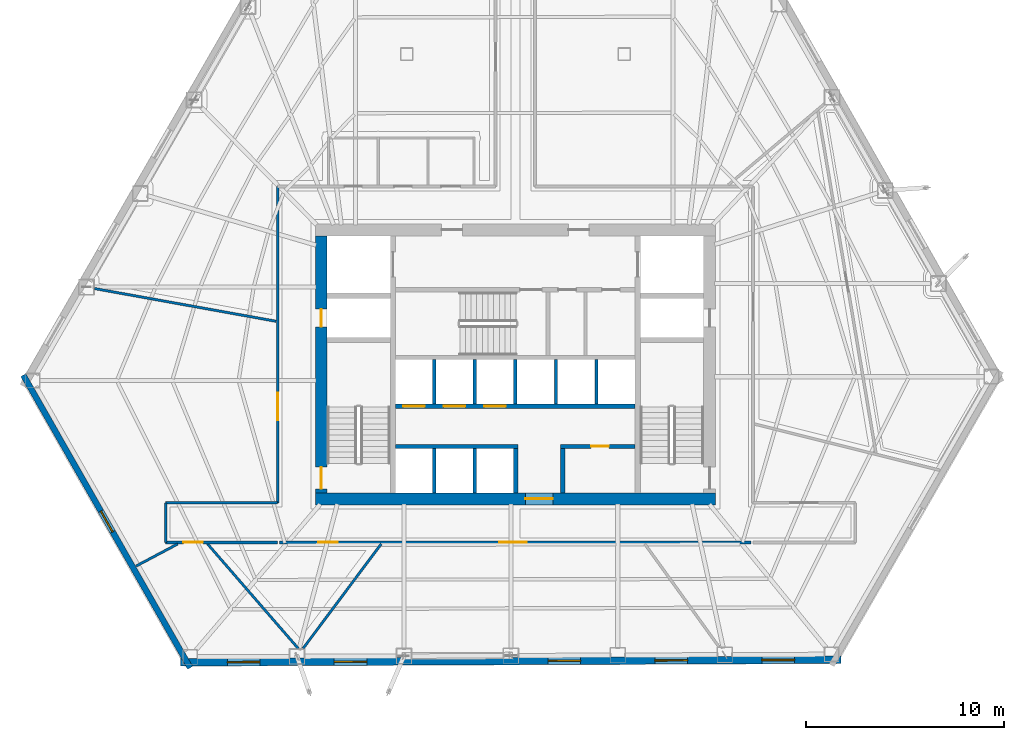
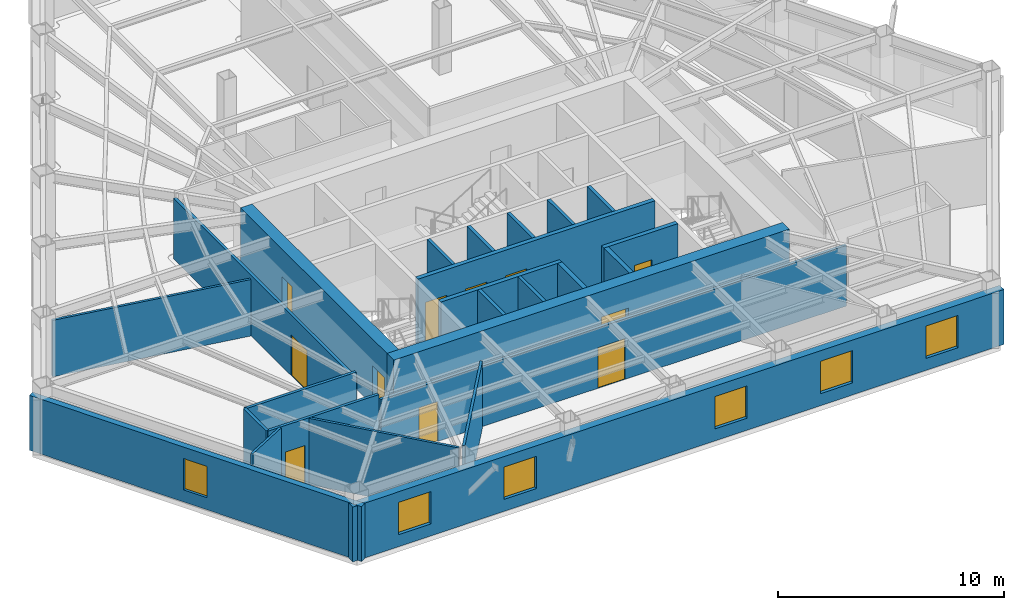
# One storey, part 7 of 12: 25 walls, 11 doors, 6 windows, 17 openings.
"""IFC4 building model written with IfcOpenShell, lengths in metres."""

from ifc_helpers import new_model, si_unit, direction, frame, frame_2d, origin, place, context, subcontext, project, spatial, rectangle, extrude, material, layer, layer_set, type_object, element, fill, save


model = new_model("IFC4")

# Units and contexts
model_context = context("Model", 3, precision=1e-05, world=origin(), true_north=direction((0.0, 1.0)))
body_context = subcontext(model_context, "Body", "Model", "MODEL_VIEW")
ifc_project = project(units=[si_unit("LENGTHUNIT", "METRE"), si_unit("AREAUNIT", "SQUARE_METRE"), si_unit("VOLUMEUNIT", "CUBIC_METRE"), si_unit("PLANEANGLEUNIT", "RADIAN"), si_unit("MASSUNIT", "GRAM", prefix="KILO")], contexts=[model_context])

# Site, building, storey
site_placement = place(None, origin())
site = spatial("IfcSite", under=ifc_project, at=site_placement, CompositionType="ELEMENT")
building_placement = place(site_placement, origin())
building = spatial("IfcBuilding", under=site, at=building_placement, Name="Kavelnor Concourse Tower", CompositionType="ELEMENT")
storey_placement = place(building_placement, frame((0.0, 0.0, 13.699951171875)))
storey = spatial("IfcBuildingStorey", under=building, at=storey_placement, Name="L03", CompositionType="ELEMENT", Elevation=13.699951171875)

# Wall, opening, door
ifc_material_1 = material(Name="Concrete C60/75", Category="concrete")
ifc_layer_1 = layer(ifc_material_1, 0.60009765625, Name="Concrete C60/75")
ifc_layer_set_1 = layer_set([ifc_layer_1], Name="Concrete C60/75")
wall_type_1 = type_object("IfcWallType", Name="WL-CORE-Z1-600", PredefinedType="SOLIDWALL", material=ifc_layer_set_1)
wall_1_placement = place(storey_placement, frame((27.8798828125, 9.300048828125, 0.0), z_axis=(0.0, 0.0, 1.0), x_axis=(1.0, 0.0, 0.0)))
wall_1 = element("IfcWall", 1, at=wall_1_placement, inside=storey, type_object=wall_type_1, Name="L03 Central Core South Shear Wall", PredefinedType="SOLIDWALL", context=body_context, shape_type="SweptSolid", body=[
    extrude(rectangle(XDim=20.240234375, YDim=0.60009765625, at=frame_2d((10.1201171875, 0.0))), origin(), (0.0, 0.0, 1.0), 3.590087890625),
])
opening_1_placement = place(wall_1_placement, frame((10.6201171875, 0.0, 0.0)))
opening_1 = element("IfcOpeningElement", 2, at=opening_1_placement, cuts=wall_1, Name="Opening SD-140", PredefinedType="OPENING", context=body_context, shape_type="SweptSolid", body=[
    extrude(rectangle(XDim=1.39990234375, YDim=2.199951171875, at=frame_2d((0.699951171875, 1.10009765625))), frame((0.0, 0.31005859375, 0.0), z_axis=(0.0, -1.0, 0.0), x_axis=(1.0, 0.0, 0.0)), (0.0, 0.0, 1.0), 0.6201171875),
])
ifc_material_2 = material(Name="Solid-core hardwood timber", Category="wood")
door_type_1 = type_object("IfcDoorType", Name="DR-SUITE-ENTRY-1400", OperationType="NOTDEFINED", PredefinedType="DOOR", material=ifc_material_2)
door_1_placement = place(opening_1_placement, origin())
door_1 = element("IfcDoor", 3, at=door_1_placement, inside=storey, type_object=door_type_1, Name="L03 Passenger Lift Lobby Entry Door", OperationType="SINGLE_SWING_RIGHT", OverallHeight=2.199951171875, OverallWidth=1.39990234375, PredefinedType="DOOR", context=body_context, shape_type="SweptSolid", body=[
    extrude(rectangle(XDim=1.39990234375, YDim=2.199951171875, at=frame_2d((0.699951171875, 1.10009765625))), frame((0.0, 0.02490234375, 0.0), z_axis=(0.0, -1.0, 0.0), x_axis=(1.0, 0.0, 0.0)), (0.0, 0.0, 1.0), 0.050048828125),
])
fill(opening_1, door_1)

# Wall, openings, doors
wall_2_placement = place(storey_placement, frame((28.179931640625, 9.60009765625, 0.0), z_axis=(0.0, 0.0, 1.0), x_axis=(0.0, 1.0, 0.0)))
wall_2 = element("IfcWall", 4, at=wall_2_placement, inside=storey, type_object=wall_type_1, Name="L03 Central Core West Shear Wall", PredefinedType="SOLIDWALL", context=body_context, shape_type="SweptSolid", body=[
    extrude(rectangle(XDim=13.0, YDim=0.60009765625, at=frame_2d((6.5, 0.0))), origin(), (0.0, 0.0, 1.0), 3.590087890625),
])
opening_2_placement = place(wall_2_placement, frame((0.199951171875, 0.0, 0.0)))
opening_2 = element("IfcOpeningElement", 5, at=opening_2_placement, cuts=wall_2, Name="Opening FD-110", PredefinedType="OPENING", context=body_context, shape_type="SweptSolid", body=[
    extrude(rectangle(XDim=1.10009765625, YDim=2.14990234375, at=frame_2d((0.550048828125, 1.074951171875))), frame((0.0, 0.31005859375, 0.0), z_axis=(0.0, -1.0, 0.0), x_axis=(1.0, 0.0, 0.0)), (0.0, 0.0, 1.0), 0.6201171875),
])
opening_3_placement = place(wall_2_placement, frame((8.39990234375, 0.0, 0.0)))
opening_3 = element("IfcOpeningElement", 6, at=opening_3_placement, cuts=wall_2, Name="Opening FD-090", PredefinedType="OPENING", context=body_context, shape_type="SweptSolid", body=[
    extrude(rectangle(XDim=0.89990234375, YDim=2.10009765625, at=frame_2d((0.449951171875, 1.050048828125))), frame((0.0, 0.31005859375, 0.0), z_axis=(0.0, -1.0, 0.0), x_axis=(1.0, 0.0, 0.0)), (0.0, 0.0, 1.0), 0.6201171875),
])
ifc_material_3 = material(Name="Steel Grade 350", Category="steel")
door_type_2 = type_object("IfcDoorType", Name="DR-RISER-FIRE-900", OperationType="NOTDEFINED", PredefinedType="DOOR", material=ifc_material_3)
door_2_placement = place(opening_3_placement, origin())
door_2 = element("IfcDoor", 7, at=door_2_placement, inside=storey, type_object=door_type_2, Name="L03 West Riser Access Door", OperationType="SINGLE_SWING_RIGHT", OverallHeight=2.10009765625, OverallWidth=0.89990234375, PredefinedType="DOOR", context=body_context, shape_type="SweptSolid", body=[
    extrude(rectangle(XDim=0.89990234375, YDim=2.10009765625, at=frame_2d((0.449951171875, 1.050048828125))), frame((0.0, 0.02490234375, 0.0), z_axis=(0.0, -1.0, 0.0), x_axis=(1.0, 0.0, 0.0)), (0.0, 0.0, 1.0), 0.050048828125),
])
fill(opening_3, door_2)
door_type_3 = type_object("IfcDoorType", Name="DR-STAIR-FIRE-1100", OperationType="NOTDEFINED", PredefinedType="DOOR", material=ifc_material_3)
door_3_placement = place(opening_2_placement, origin())
door_3 = element("IfcDoor", 8, at=door_3_placement, inside=storey, type_object=door_type_3, Name="L03 Stair ST1 Fire Door", OperationType="SINGLE_SWING_LEFT", OverallHeight=2.14990234375, OverallWidth=1.10009765625, PredefinedType="DOOR", context=body_context, shape_type="SweptSolid", body=[
    extrude(rectangle(XDim=1.10009765625, YDim=2.14990234375, at=frame_2d((0.550048828125, 1.074951171875))), frame((0.0, 0.02490234375, 0.0), z_axis=(0.0, -1.0, 0.0), x_axis=(1.0, 0.0, 0.0)), (0.0, 0.0, 1.0), 0.050048828125),
])
fill(opening_2, door_3)

# Wall, opening, window
ifc_material_4 = material(Name="Buff ironspot clay face brick masonry", Category="masonry")
ifc_layer_2 = layer(ifc_material_4, 0.300048828125, Name="Buff ironspot clay face brick masonry")
ifc_layer_set_2 = layer_set([ifc_layer_2], Name="Buff ironspot clay face brick masonry")
wall_type_2 = type_object("IfcWallType", Name="WL-EXT-BUFF-BRICK-FOLD-300", PredefinedType="STANDARD", material=ifc_layer_set_2)
wall_3_placement = place(storey_placement, frame((21.55078125, 0.75244140625, 0.0), z_axis=(0.0, 0.0, 1.0), x_axis=(-0.495301001615, 0.868721427041, 0.0)))
wall_3 = element("IfcWall", 9, at=wall_3_placement, inside=storey, type_object=wall_type_2, Name="L03 Exterior Brick Facade Wall E2", PredefinedType="STANDARD", context=body_context, shape_type="SweptSolid", body=[
    extrude(rectangle(XDim=17.04248046875, YDim=0.300048828125, at=frame_2d((8.521240234375, 0.0))), origin(), (0.0, 0.0, 1.0), 2.969970703125),
])
opening_4_placement = place(wall_3_placement, frame((7.921142578125, 0.0, 0.64990234375)))
opening_4 = element("IfcOpeningElement", 10, at=opening_4_placement, cuts=wall_3, Name="Opening W-05", PredefinedType="OPENING", context=body_context, shape_type="SweptSolid", body=[
    extrude(rectangle(XDim=1.199951171875, YDim=1.699951171875, at=frame_2d((0.60009765625, 0.85009765625))), frame((0.0, 0.16015625, 0.0), z_axis=(0.0, -1.0, 0.0), x_axis=(1.0, 0.0, 0.0)), (0.0, 0.0, 1.0), 0.320068359375),
])
ifc_material_5 = material(Name="Double low-E argon insulated glazing", Category="glass")
window_type_1 = type_object("IfcWindowType", Name="WIN-FOLD-1200", PartitioningType="SINGLE_PANEL", PredefinedType="WINDOW", material=ifc_material_5)
window_1_placement = place(opening_4_placement, origin())
window_1 = element("IfcWindow", 11, at=window_1_placement, inside=storey, type_object=window_type_1, Name="L03 Chamfer-Fold Facet Window C1", OverallHeight=1.699951171875, OverallWidth=1.199951171875, PartitioningType="SINGLE_PANEL", PredefinedType="WINDOW", context=body_context, shape_type="SweptSolid", body=[
    extrude(rectangle(XDim=1.199951171875, YDim=1.699951171875, at=frame_2d((0.60009765625, 0.85009765625))), frame((0.0, 0.030029296875, 0.0), z_axis=(0.0, -1.0, 0.0), x_axis=(1.0, 0.0, 0.0)), (0.0, 0.0, 1.0), 0.06005859375),
])
fill(opening_4, window_1)

# Wall, openings, windows
ifc_material_6 = material(Name="Red-ochre clay face brick masonry", Category="masonry")
ifc_layer_3 = layer(ifc_material_6, 0.3798828125, Name="Red-ochre clay face brick masonry")
ifc_layer_set_3 = layer_set([ifc_layer_3], Name="Red-ochre clay face brick masonry")
wall_type_3 = type_object("IfcWallType", Name="WL-EXT-RED-BRICK-PIER-380", PredefinedType="STANDARD", material=ifc_layer_set_3)
wall_4_placement = place(storey_placement, frame((54.474853515625, 1.163818359375, 0.0), z_axis=(0.0, 0.0, 1.0), x_axis=(-0.999992126113, -0.003968338725, 0.0)))
wall_4 = element("IfcWall", 12, at=wall_4_placement, inside=storey, type_object=wall_type_3, Name="L03 Exterior Brick Facade Wall E3", PredefinedType="STANDARD", context=body_context, shape_type="SweptSolid", body=[
    extrude(rectangle(XDim=33.406494140625, YDim=0.3798828125, at=frame_2d((16.703125, 0.0))), origin(), (0.0, 0.0, 1.0), 2.969970703125),
])
opening_5_placement = place(wall_4_placement, frame((29.397216796875, 0.0, 0.64990234375)))
opening_5 = element("IfcOpeningElement", 13, at=opening_5_placement, cuts=wall_4, Name="Opening W-01", PredefinedType="OPENING", context=body_context, shape_type="SweptSolid", body=[
    extrude(rectangle(XDim=1.64990234375, YDim=1.75, at=frame_2d((0.824951171875, 0.875))), frame((0.0, 0.199951171875, 0.0), z_axis=(0.0, -1.0, 0.0), x_axis=(1.0, 0.0, 0.0)), (0.0, 0.0, 1.0), 0.39990234375),
])
opening_6_placement = place(wall_4_placement, frame((23.989013671875, 0.0, 0.64990234375)))
opening_6 = element("IfcOpeningElement", 14, at=opening_6_placement, cuts=wall_4, Name="Opening W-01", PredefinedType="OPENING", context=body_context, shape_type="SweptSolid", body=[
    extrude(rectangle(XDim=1.64990234375, YDim=1.75, at=frame_2d((0.824951171875, 0.875))), frame((0.0, 0.199951171875, 0.0), z_axis=(0.0, -1.0, 0.0), x_axis=(1.0, 0.0, 0.0)), (0.0, 0.0, 1.0), 0.39990234375),
])
opening_7_placement = place(wall_4_placement, frame((13.172119140625, 0.0, 0.64990234375)))
opening_7 = element("IfcOpeningElement", 15, at=opening_7_placement, cuts=wall_4, Name="Opening W-01", PredefinedType="OPENING", context=body_context, shape_type="SweptSolid", body=[
    extrude(rectangle(XDim=1.64990234375, YDim=1.75, at=frame_2d((0.824951171875, 0.875))), frame((0.0, 0.199951171875, 0.0), z_axis=(0.0, -1.0, 0.0), x_axis=(1.0, 0.0, 0.0)), (0.0, 0.0, 1.0), 0.39990234375),
])
opening_8_placement = place(wall_4_placement, frame((7.763916015625, 0.0, 0.64990234375)))
opening_8 = element("IfcOpeningElement", 16, at=opening_8_placement, cuts=wall_4, Name="Opening W-01", PredefinedType="OPENING", context=body_context, shape_type="SweptSolid", body=[
    extrude(rectangle(XDim=1.64990234375, YDim=1.75, at=frame_2d((0.824951171875, 0.875))), frame((0.0, 0.199951171875, 0.0), z_axis=(0.0, -1.0, 0.0), x_axis=(1.0, 0.0, 0.0)), (0.0, 0.0, 1.0), 0.39990234375),
])
opening_9_placement = place(wall_4_placement, frame((2.35546875, 0.0, 0.64990234375)))
opening_9 = element("IfcOpeningElement", 17, at=opening_9_placement, cuts=wall_4, Name="Opening W-01", PredefinedType="OPENING", context=body_context, shape_type="SweptSolid", body=[
    extrude(rectangle(XDim=1.64990234375, YDim=1.75, at=frame_2d((0.824951171875, 0.875))), frame((0.0, 0.199951171875, 0.0), z_axis=(0.0, -1.0, 0.0), x_axis=(1.0, 0.0, 0.0)), (0.0, 0.0, 1.0), 0.39990234375),
])
window_type_2 = type_object("IfcWindowType", Name="WIN-PIER-Z1-1800", PartitioningType="SINGLE_PANEL", PredefinedType="WINDOW", material=ifc_material_5)
window_2_placement = place(opening_5_placement, origin())
window_2 = element("IfcWindow", 18, at=window_2_placement, inside=storey, type_object=window_type_2, Name="L03 Deep-Set Brick Pier Window F1-B0", OverallHeight=1.75, OverallWidth=1.64990234375, PartitioningType="SINGLE_PANEL", PredefinedType="WINDOW", context=body_context, shape_type="SweptSolid", body=[
    extrude(rectangle(XDim=1.64990234375, YDim=1.75, at=frame_2d((0.824951171875, 0.875))), frame((0.0, 0.030029296875, 0.0), z_axis=(0.0, -1.0, 0.0), x_axis=(1.0, 0.0, 0.0)), (0.0, 0.0, 1.0), 0.06005859375),
])
fill(opening_5, window_2)
window_3_placement = place(opening_6_placement, origin())
window_3 = element("IfcWindow", 19, at=window_3_placement, inside=storey, type_object=window_type_2, Name="L03 Deep-Set Brick Pier Window F1-B1", OverallHeight=1.75, OverallWidth=1.64990234375, PartitioningType="SINGLE_PANEL", PredefinedType="WINDOW", context=body_context, shape_type="SweptSolid", body=[
    extrude(rectangle(XDim=1.64990234375, YDim=1.75, at=frame_2d((0.824951171875, 0.875))), frame((0.0, 0.030029296875, 0.0), z_axis=(0.0, -1.0, 0.0), x_axis=(1.0, 0.0, 0.0)), (0.0, 0.0, 1.0), 0.06005859375),
])
fill(opening_6, window_3)
window_4_placement = place(opening_7_placement, origin())
window_4 = element("IfcWindow", 20, at=window_4_placement, inside=storey, type_object=window_type_2, Name="L03 Deep-Set Brick Pier Window F1-B3", OverallHeight=1.75, OverallWidth=1.64990234375, PartitioningType="SINGLE_PANEL", PredefinedType="WINDOW", context=body_context, shape_type="SweptSolid", body=[
    extrude(rectangle(XDim=1.64990234375, YDim=1.75, at=frame_2d((0.824951171875, 0.875))), frame((0.0, 0.030029296875, 0.0), z_axis=(0.0, -1.0, 0.0), x_axis=(1.0, 0.0, 0.0)), (0.0, 0.0, 1.0), 0.06005859375),
])
fill(opening_7, window_4)
window_5_placement = place(opening_8_placement, origin())
window_5 = element("IfcWindow", 21, at=window_5_placement, inside=storey, type_object=window_type_2, Name="L03 Deep-Set Brick Pier Window F1-B4", OverallHeight=1.75, OverallWidth=1.64990234375, PartitioningType="SINGLE_PANEL", PredefinedType="WINDOW", context=body_context, shape_type="SweptSolid", body=[
    extrude(rectangle(XDim=1.64990234375, YDim=1.75, at=frame_2d((0.824951171875, 0.875))), frame((0.0, 0.030029296875, 0.0), z_axis=(0.0, -1.0, 0.0), x_axis=(1.0, 0.0, 0.0)), (0.0, 0.0, 1.0), 0.06005859375),
])
fill(opening_8, window_5)
window_6_placement = place(opening_9_placement, origin())
window_6 = element("IfcWindow", 22, at=window_6_placement, inside=storey, type_object=window_type_2, Name="L03 Deep-Set Brick Pier Window F1-B5", OverallHeight=1.75, OverallWidth=1.64990234375, PartitioningType="SINGLE_PANEL", PredefinedType="WINDOW", context=body_context, shape_type="SweptSolid", body=[
    extrude(rectangle(XDim=1.64990234375, YDim=1.75, at=frame_2d((0.824951171875, 0.875))), frame((0.0, 0.030029296875, 0.0), z_axis=(0.0, -1.0, 0.0), x_axis=(1.0, 0.0, 0.0)), (0.0, 0.0, 1.0), 0.06005859375),
])
fill(opening_9, window_6)

# Wall
ifc_material_7 = material(Name="Gypsum plasterboard on light-gauge steel studs", Category="steel")
ifc_layer_4 = layer(ifc_material_7, 0.14501953125, Name="Gypsum plasterboard on light-gauge steel studs")
ifc_layer_set_4 = layer_set([ifc_layer_4], Name="Gypsum plasterboard on light-gauge steel studs")
wall_type_4 = type_object("IfcWallType", Name="WL-INT-CORR-145", PredefinedType="PARTITIONING", material=ifc_layer_set_4)
wall_5_placement = place(storey_placement, frame((20.313720703125, 9.10009765625, 0.0), z_axis=(0.0, 0.0, 1.0), x_axis=(1.0, 0.0, 0.0)))
element("IfcWall", 23, at=wall_5_placement, inside=storey, type_object=wall_type_4, Name="L03 Corridor Wall WL-L03-CR-01", PredefinedType="PARTITIONING", context=body_context, shape_type="SweptSolid", body=[
    extrude(rectangle(XDim=5.666259765625, YDim=0.14501953125, at=frame_2d((2.8330078125, 0.0))), origin(), (0.0, 0.0, 1.0), 3.590087890625),
])

# Wall, opening, door
wall_6_placement = place(storey_placement, frame((25.97998046875, 9.10009765625, 0.0), z_axis=(0.0, 0.0, 1.0), x_axis=(0.0, 1.0, 0.0)))
wall_6 = element("IfcWall", 24, at=wall_6_placement, inside=storey, type_object=wall_type_4, Name="L03 Corridor Wall WL-L03-CR-02", PredefinedType="PARTITIONING", context=body_context, shape_type="SweptSolid", body=[
    extrude(rectangle(XDim=16.0, YDim=0.14501953125, at=frame_2d((8.0, 0.0))), origin(), (0.0, 0.0, 1.0), 3.278076171875),
])
opening_10_placement = place(wall_6_placement, frame((4.175537109375, 0.0, 0.0)))
opening_10 = element("IfcOpeningElement", 25, at=opening_10_placement, cuts=wall_6, Name="Opening SD-140", PredefinedType="OPENING", context=body_context, shape_type="SweptSolid", body=[
    extrude(rectangle(XDim=1.39990234375, YDim=2.199951171875, at=frame_2d((0.699951171875, 1.10009765625))), frame((0.0, 0.08251953125, 0.0), z_axis=(0.0, -1.0, 0.0), x_axis=(1.0, 0.0, 0.0)), (0.0, 0.0, 1.0), 0.1650390625),
])
door_4_placement = place(opening_10_placement, origin())
door_4 = element("IfcDoor", 26, at=door_4_placement, inside=storey, type_object=door_type_1, Name="L03 Tenant Bookstore Retail Shop 04 Door", OperationType="SINGLE_SWING_RIGHT", OverallHeight=2.199951171875, OverallWidth=1.39990234375, PredefinedType="DOOR", context=body_context, shape_type="SweptSolid", body=[
    extrude(rectangle(XDim=1.39990234375, YDim=2.199951171875, at=frame_2d((0.699951171875, 1.10009765625))), frame((0.0, 0.02490234375, 0.0), z_axis=(0.0, -1.0, 0.0), x_axis=(1.0, 0.0, 0.0)), (0.0, 0.0, 1.0), 0.050048828125),
])
fill(opening_10, door_4)

# Wall, openings, doors
wall_7_placement = place(storey_placement, frame((49.919921875, 7.10009765625, 0.0), z_axis=(0.0, 0.0, 1.0), x_axis=(-1.0, 0.0, 0.0)))
wall_7 = element("IfcWall", 27, at=wall_7_placement, inside=storey, type_object=wall_type_4, Name="L03 Corridor Wall WL-L03-CR-12", PredefinedType="PARTITIONING", context=body_context, shape_type="SweptSolid", body=[
    extrude(rectangle(XDim=23.83984375, YDim=0.14501953125, at=frame_2d((11.919921875, 0.0))), origin(), (0.0, 0.0, 1.0), 3.278076171875),
])
opening_11_placement = place(wall_7_placement, frame((20.905029296875, 0.0, 0.0)))
opening_11 = element("IfcOpeningElement", 28, at=opening_11_placement, cuts=wall_7, Name="Opening OD-098", PredefinedType="OPENING", context=body_context, shape_type="SweptSolid", body=[
    extrude(rectangle(XDim=0.97998046875, YDim=2.14990234375, at=frame_2d((0.489990234375, 1.074951171875))), frame((0.0, 0.08251953125, 0.0), z_axis=(0.0, -1.0, 0.0), x_axis=(1.0, 0.0, 0.0)), (0.0, 0.0, 1.0), 0.1650390625),
])
opening_12_placement = place(wall_7_placement, frame((11.3388671875, 0.0, 0.0)))
opening_12 = element("IfcOpeningElement", 29, at=opening_12_placement, cuts=wall_7, Name="Opening SD-140", PredefinedType="OPENING", context=body_context, shape_type="SweptSolid", body=[
    extrude(rectangle(XDim=1.39990234375, YDim=2.199951171875, at=frame_2d((0.699951171875, 1.10009765625))), frame((0.0, 0.08251953125, 0.0), z_axis=(0.0, -1.0, 0.0), x_axis=(1.0, 0.0, 0.0)), (0.0, 0.0, 1.0), 0.1650390625),
])
door_type_4 = type_object("IfcDoorType", Name="DR-OFFICE-980", OperationType="NOTDEFINED", PredefinedType="DOOR", material=ifc_material_2)
door_5_placement = place(opening_11_placement, origin())
door_5 = element("IfcDoor", 30, at=door_5_placement, inside=storey, type_object=door_type_4, Name="L03 Tenant Bookstore Retail Shop 05 Door", OperationType="SINGLE_SWING_LEFT", OverallHeight=2.14990234375, OverallWidth=0.97998046875, PredefinedType="DOOR", context=body_context, shape_type="SweptSolid", body=[
    extrude(rectangle(XDim=0.97998046875, YDim=2.14990234375, at=frame_2d((0.489990234375, 1.074951171875))), frame((0.0, 0.02490234375, 0.0), z_axis=(0.0, -1.0, 0.0), x_axis=(1.0, 0.0, 0.0)), (0.0, 0.0, 1.0), 0.050048828125),
])
fill(opening_11, door_5)
door_6_placement = place(opening_12_placement, origin())
door_6 = element("IfcDoor", 31, at=door_6_placement, inside=storey, type_object=door_type_1, Name="L03 Workplace Open Office 07 Door", OperationType="SINGLE_SWING_LEFT", OverallHeight=2.199951171875, OverallWidth=1.39990234375, PredefinedType="DOOR", context=body_context, shape_type="SweptSolid", body=[
    extrude(rectangle(XDim=1.39990234375, YDim=2.199951171875, at=frame_2d((0.699951171875, 1.10009765625))), frame((0.0, 0.02490234375, 0.0), z_axis=(0.0, -1.0, 0.0), x_axis=(1.0, 0.0, 0.0)), (0.0, 0.0, 1.0), 0.050048828125),
])
fill(opening_12, door_6)

# Wall, opening, door
wall_8_placement = place(storey_placement, frame((25.97998046875, 7.10009765625, 0.0), z_axis=(0.0, 0.0, 1.0), x_axis=(-1.0, 0.0, 0.0)))
wall_8 = element("IfcWall", 32, at=wall_8_placement, inside=storey, type_object=wall_type_4, Name="L03 Corridor Wall WL-L03-CR-13", PredefinedType="PARTITIONING", context=body_context, shape_type="SweptSolid", body=[
    extrude(rectangle(XDim=5.666259765625, YDim=0.14501953125, at=frame_2d((2.8330078125, 0.0))), origin(), (0.0, 0.0, 1.0), 3.590087890625),
])
opening_13_placement = place(wall_8_placement, frame((3.788330078125, 0.0, 0.0)))
opening_13 = element("IfcOpeningElement", 33, at=opening_13_placement, cuts=wall_8, Name="Opening OD-098", PredefinedType="OPENING", context=body_context, shape_type="SweptSolid", body=[
    extrude(rectangle(XDim=0.97998046875, YDim=2.14990234375, at=frame_2d((0.489990234375, 1.074951171875))), frame((0.0, 0.08251953125, 0.0), z_axis=(0.0, -1.0, 0.0), x_axis=(1.0, 0.0, 0.0)), (0.0, 0.0, 1.0), 0.1650390625),
])
door_7_placement = place(opening_13_placement, origin())
door_7 = element("IfcDoor", 34, at=door_7_placement, inside=storey, type_object=door_type_4, Name="L03 Tenant Bookstore Retail Shop 06 Door", OperationType="SINGLE_SWING_RIGHT", OverallHeight=2.14990234375, OverallWidth=0.97998046875, PredefinedType="DOOR", context=body_context, shape_type="SweptSolid", body=[
    extrude(rectangle(XDim=0.97998046875, YDim=2.14990234375, at=frame_2d((0.489990234375, 1.074951171875))), frame((0.0, 0.02490234375, 0.0), z_axis=(0.0, -1.0, 0.0), x_axis=(1.0, 0.0, 0.0)), (0.0, 0.0, 1.0), 0.050048828125),
])
fill(opening_13, door_7)

# Walls
wall_9_placement = place(storey_placement, frame((20.313720703125, 7.10009765625, 0.0), z_axis=(0.0, 0.0, 1.0), x_axis=(0.0, 1.0, 0.0)))
element("IfcWall", 35, at=wall_9_placement, inside=storey, type_object=wall_type_4, Name="L03 Corridor Wall WL-L03-CR-14", PredefinedType="PARTITIONING", context=body_context, shape_type="SweptSolid", body=[
    extrude(rectangle(XDim=2.0, YDim=0.14501953125, at=frame_2d((1.0, 0.0))), origin(), (0.0, 0.0, 1.0), 3.590087890625),
])
ifc_layer_5 = layer(ifc_material_7, 0.1650390625, Name="Gypsum plasterboard on light-gauge steel studs")
ifc_layer_set_5 = layer_set([ifc_layer_5], Name="Gypsum plasterboard on light-gauge steel studs")
wall_type_5 = type_object("IfcWallType", Name="WL-INT-FIRE-165", PredefinedType="PARTITIONING", material=ifc_layer_set_5)
for number, where, z_axis, x_axis, name in (
    (36, (33.89990234375, 9.60009765625, 0.0), (0.0, 0.0, 1.0), (0.0, 1.0, 0.0), "L03 Lift Shaft Divider LP7"),
    (37, (35.949951171875, 9.60009765625, 0.0), (0.0, 0.0, 1.0), (0.0, 1.0, 0.0), "L03 Lift Shaft Divider LP8"),
    (38, (33.89990234375, 14.10009765625, 0.0), (0.0, 0.0, 1.0), (0.0, 1.0, 0.0), "L03 Lift Shaft Divider LP1"),
    (39, (35.949951171875, 14.10009765625, 0.0), (0.0, 0.0, 1.0), (0.0, 1.0, 0.0), "L03 Lift Shaft Divider LP2"),
    (40, (38.0, 14.10009765625, 0.0), (0.0, 0.0, 1.0), (0.0, 1.0, 0.0), "L03 Lift Shaft Divider LP3"),
    (41, (40.050048828125, 14.10009765625, 0.0), (0.0, 0.0, 1.0), (0.0, 1.0, 0.0), "L03 Lift Shaft Divider LP4"),
    (42, (42.10009765625, 14.10009765625, 0.0), (0.0, 0.0, 1.0), (0.0, 1.0, 0.0), "L03 Lift Shaft Divider LP5"),
):
    element("IfcWall", number, at=place(storey_placement, frame(where, z_axis=z_axis, x_axis=x_axis)), inside=storey, type_object=wall_type_5, Name=name, PredefinedType="PARTITIONING", context=body_context, shape_type="SweptSolid", body=[
        extrude(rectangle(XDim=2.239990234375, YDim=0.1650390625, at=frame_2d((1.1201171875, 0.0))), origin(), (0.0, 0.0, 1.0), 3.590087890625),
    ])
ifc_layer_6 = layer(ifc_material_7, 0.125, Name="Gypsum plasterboard on light-gauge steel studs")
ifc_layer_set_6 = layer_set([ifc_layer_6], Name="Gypsum plasterboard on light-gauge steel studs")
wall_type_6 = type_object("IfcWallType", Name="WL-INT-SUITE-125", PredefinedType="PARTITIONING", material=ifc_layer_set_6)
wall_10_placement = place(storey_placement, frame((25.8994140625, 18.281494140625, 0.0), z_axis=(0.0, 0.0, 1.0), x_axis=(-0.984135326531, 0.177419443897, 0.0)))
element("IfcWall", 43, at=wall_10_placement, inside=storey, type_object=wall_type_6, Name="L03 Radial Suite Partition 02", PredefinedType="PARTITIONING", context=body_context, shape_type="SweptSolid", body=[
    extrude(rectangle(XDim=9.336669921875, YDim=0.125, at=frame_2d((4.66845703125, 0.0))), origin(), (0.0, 0.0, 1.0), 3.05712890625),
])
wall_11_placement = place(storey_placement, frame((20.922119140625, 7.01953125, 0.0), z_axis=(0.0, 0.0, 1.0), x_axis=(-0.882964518008, -0.469439729825, 0.0)))
element("IfcWall", 44, at=wall_11_placement, inside=storey, type_object=wall_type_6, Name="L03 Radial Suite Partition 03", PredefinedType="PARTITIONING", context=body_context, shape_type="SweptSolid", body=[
    extrude(rectangle(XDim=2.384033203125, YDim=0.125, at=frame_2d((1.19189453125, 0.0))), origin(), (0.0, 0.0, 1.0), 3.590087890625),
])
wall_12_placement = place(storey_placement, frame((31.212646484375, 7.01953125, 0.0), z_axis=(0.0, 0.0, 1.0), x_axis=(-0.598715024462, -0.800962121129, 0.0)))
element("IfcWall", 45, at=wall_12_placement, inside=storey, type_object=wall_type_6, Name="L03 Radial Suite Partition 04", PredefinedType="PARTITIONING", context=body_context, shape_type="SweptSolid", body=[
    extrude(rectangle(XDim=6.6005859375, YDim=0.125, at=frame_2d((3.30029296875, 0.0))), origin(), (0.0, 0.0, 1.0), 3.590087890625),
])
wall_13_placement = place(storey_placement, frame((22.431396484375, 7.01953125, 0.0), z_axis=(0.0, 0.0, 1.0), x_axis=(0.655156305275, -0.75549335911, 0.0)))
element("IfcWall", 46, at=wall_13_placement, inside=storey, type_object=wall_type_6, Name="L03 Suite Subdivision Partition 04", PredefinedType="PARTITIONING", context=body_context, shape_type="SweptSolid", body=[
    extrude(rectangle(XDim=6.997802734375, YDim=0.125, at=frame_2d((3.4990234375, 0.0))), origin(), (0.0, 0.0, 1.0), 3.590087890625),
])

# Wall, openings, doors
ifc_material_8 = material(Name="Concrete C50/60", Category="concrete")
ifc_layer_7 = layer(ifc_material_8, 0.219970703125, Name="Concrete C50/60")
ifc_layer_set_7 = layer_set([ifc_layer_7], Name="Concrete C50/60")
wall_type_7 = type_object("IfcWallType", Name="WL-SHAFT-220", PredefinedType="SOLIDWALL", material=ifc_layer_set_7)
wall_14_placement = place(storey_placement, frame((31.93994140625, 13.989990234375, 0.0), z_axis=(0.0, 0.0, 1.0), x_axis=(1.0, 0.0, 0.0)))
wall_14 = element("IfcWall", 47, at=wall_14_placement, inside=storey, type_object=wall_type_7, Name="L03 North Lift Row Shaft Wall", PredefinedType="SOLIDWALL", context=body_context, shape_type="SweptSolid", body=[
    extrude(rectangle(XDim=12.1201171875, YDim=0.219970703125, at=frame_2d((6.06005859375, 0.0))), origin(), (0.0, 0.0, 1.0), 3.590087890625),
])
opening_14_placement = place(wall_14_placement, frame((0.385009765625, 0.0, 0.0)))
opening_14 = element("IfcOpeningElement", 48, at=opening_14_placement, cuts=wall_14, Name="Opening LD-110", PredefinedType="OPENING", context=body_context, shape_type="SweptSolid", body=[
    extrude(rectangle(XDim=1.10009765625, YDim=2.199951171875, at=frame_2d((0.550048828125, 1.10009765625))), frame((0.0, 0.1201171875, 0.0), z_axis=(0.0, -1.0, 0.0), x_axis=(1.0, 0.0, 0.0)), (0.0, 0.0, 1.0), 0.239990234375),
])
opening_15_placement = place(wall_14_placement, frame((2.43505859375, 0.0, 0.0)))
opening_15 = element("IfcOpeningElement", 49, at=opening_15_placement, cuts=wall_14, Name="Opening LD-110", PredefinedType="OPENING", context=body_context, shape_type="SweptSolid", body=[
    extrude(rectangle(XDim=1.10009765625, YDim=2.199951171875, at=frame_2d((0.550048828125, 1.10009765625))), frame((0.0, 0.1201171875, 0.0), z_axis=(0.0, -1.0, 0.0), x_axis=(1.0, 0.0, 0.0)), (0.0, 0.0, 1.0), 0.239990234375),
])
opening_16_placement = place(wall_14_placement, frame((4.485107421875, 0.0, 0.0)))
opening_16 = element("IfcOpeningElement", 50, at=opening_16_placement, cuts=wall_14, Name="Opening LD-110", PredefinedType="OPENING", context=body_context, shape_type="SweptSolid", body=[
    extrude(rectangle(XDim=1.10009765625, YDim=2.199951171875, at=frame_2d((0.550048828125, 1.10009765625))), frame((0.0, 0.1201171875, 0.0), z_axis=(0.0, -1.0, 0.0), x_axis=(1.0, 0.0, 0.0)), (0.0, 0.0, 1.0), 0.239990234375),
])
door_type_5 = type_object("IfcDoorType", Name="DR-LIFT-SLIDING-1100", OperationType="NOTDEFINED", PredefinedType="DOOR", material=ifc_material_3)
door_8_placement = place(opening_14_placement, origin())
door_8 = element("IfcDoor", 51, at=door_8_placement, inside=storey, type_object=door_type_5, Name="L03 Lift LP1 Landing Door", OperationType="DOUBLE_DOOR_SLIDING", OverallHeight=2.199951171875, OverallWidth=1.10009765625, PredefinedType="DOOR", context=body_context, shape_type="SweptSolid", body=[
    extrude(rectangle(XDim=1.10009765625, YDim=2.199951171875, at=frame_2d((0.550048828125, 1.10009765625))), frame((0.0, 0.02490234375, 0.0), z_axis=(0.0, -1.0, 0.0), x_axis=(1.0, 0.0, 0.0)), (0.0, 0.0, 1.0), 0.050048828125),
])
fill(opening_14, door_8)
door_9_placement = place(opening_15_placement, origin())
door_9 = element("IfcDoor", 52, at=door_9_placement, inside=storey, type_object=door_type_5, Name="L03 Lift LP2 Landing Door", OperationType="DOUBLE_DOOR_SLIDING", OverallHeight=2.199951171875, OverallWidth=1.10009765625, PredefinedType="DOOR", context=body_context, shape_type="SweptSolid", body=[
    extrude(rectangle(XDim=1.10009765625, YDim=2.199951171875, at=frame_2d((0.550048828125, 1.10009765625))), frame((0.0, 0.02490234375, 0.0), z_axis=(0.0, -1.0, 0.0), x_axis=(1.0, 0.0, 0.0)), (0.0, 0.0, 1.0), 0.050048828125),
])
fill(opening_15, door_9)
door_10_placement = place(opening_16_placement, origin())
door_10 = element("IfcDoor", 53, at=door_10_placement, inside=storey, type_object=door_type_5, Name="L03 Lift LP3 Landing Door", OperationType="DOUBLE_DOOR_SLIDING", OverallHeight=2.199951171875, OverallWidth=1.10009765625, PredefinedType="DOOR", context=body_context, shape_type="SweptSolid", body=[
    extrude(rectangle(XDim=1.10009765625, YDim=2.199951171875, at=frame_2d((0.550048828125, 1.10009765625))), frame((0.0, 0.02490234375, 0.0), z_axis=(0.0, -1.0, 0.0), x_axis=(1.0, 0.0, 0.0)), (0.0, 0.0, 1.0), 0.050048828125),
])
fill(opening_16, door_10)

# Wall
wall_15_placement = place(storey_placement, frame((31.93994140625, 11.949951171875, 0.0), z_axis=(0.0, 0.0, 1.0), x_axis=(1.0, 0.0, 0.0)))
element("IfcWall", 54, at=wall_15_placement, inside=storey, type_object=wall_type_7, Name="L03 High-Rise Lift Bank North Wall", PredefinedType="SOLIDWALL", context=body_context, shape_type="SweptSolid", body=[
    extrude(rectangle(XDim=6.18994140625, YDim=0.219970703125, at=frame_2d((3.094970703125, 0.0))), origin(), (0.0, 0.0, 1.0), 3.590087890625),
])

# Wall, opening, door
wall_16_placement = place(storey_placement, frame((40.280029296875, 11.949951171875, 0.0), z_axis=(0.0, 0.0, 1.0), x_axis=(1.0, 0.0, 0.0)))
wall_16 = element("IfcWall", 55, at=wall_16_placement, inside=storey, type_object=wall_type_7, Name="L03 Core South Support North Wall", PredefinedType="SOLIDWALL", context=body_context, shape_type="SweptSolid", body=[
    extrude(rectangle(XDim=3.780029296875, YDim=0.219970703125, at=frame_2d((1.89013671875, 0.0))), origin(), (0.0, 0.0, 1.0), 3.590087890625),
])
opening_17_placement = place(wall_16_placement, frame((1.550048828125, 0.0, 0.0)))
opening_17 = element("IfcOpeningElement", 56, at=opening_17_placement, cuts=wall_16, Name="Opening FD-090", PredefinedType="OPENING", context=body_context, shape_type="SweptSolid", body=[
    extrude(rectangle(XDim=0.89990234375, YDim=2.10009765625, at=frame_2d((0.449951171875, 1.050048828125))), frame((0.0, 0.1201171875, 0.0), z_axis=(0.0, -1.0, 0.0), x_axis=(1.0, 0.0, 0.0)), (0.0, 0.0, 1.0), 0.239990234375),
])
door_11_placement = place(opening_17_placement, origin())
door_11 = element("IfcDoor", 57, at=door_11_placement, inside=storey, type_object=door_type_2, Name="L03 BMS Metering Door", OperationType="SINGLE_SWING_RIGHT", OverallHeight=2.10009765625, OverallWidth=0.89990234375, PredefinedType="DOOR", context=body_context, shape_type="SweptSolid", body=[
    extrude(rectangle(XDim=0.89990234375, YDim=2.10009765625, at=frame_2d((0.449951171875, 1.050048828125))), frame((0.0, 0.02490234375, 0.0), z_axis=(0.0, -1.0, 0.0), x_axis=(1.0, 0.0, 0.0)), (0.0, 0.0, 1.0), 0.050048828125),
])
fill(opening_17, door_11)

# Walls
for number, where, z_axis, x_axis, name in (
    (58, (38.02001953125, 9.60009765625, 0.0), (0.0, 0.0, 1.0), (0.0, 1.0, 0.0), "L03 Lift Lobby Throat West Wall"),
    (59, (40.389892578125, 9.60009765625, 0.0), (0.0, 0.0, 1.0), (0.0, 1.0, 0.0), "L03 Lift Lobby Throat East Wall"),
):
    element("IfcWall", number, at=place(storey_placement, frame(where, z_axis=z_axis, x_axis=x_axis)), inside=storey, type_object=wall_type_7, Name=name, PredefinedType="SOLIDWALL", context=body_context, shape_type="SweptSolid", body=[
        extrude(rectangle(XDim=2.239990234375, YDim=0.219970703125, at=frame_2d((1.1201171875, 0.0))), origin(), (0.0, 0.0, 1.0), 3.590087890625),
    ])

save(model, "model.ifc")
